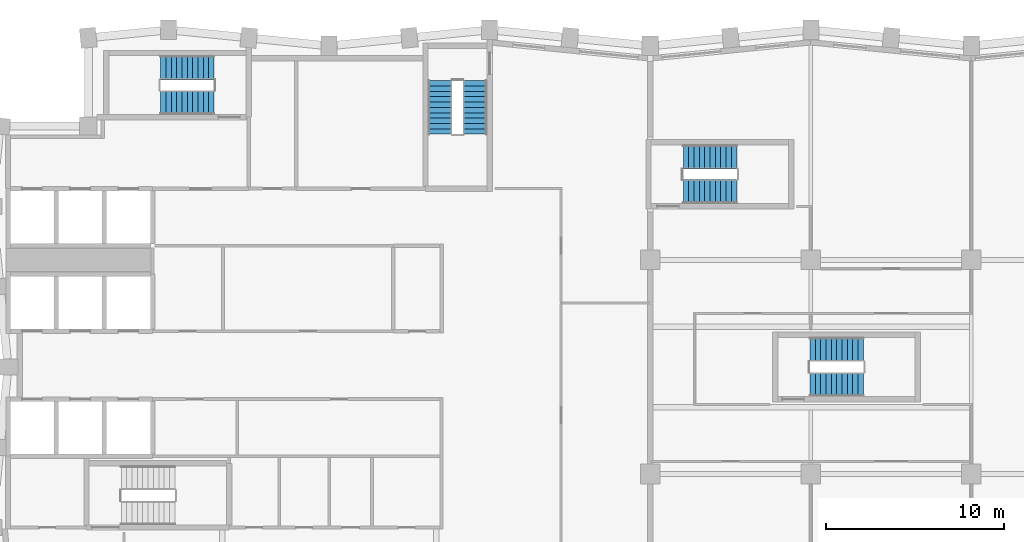
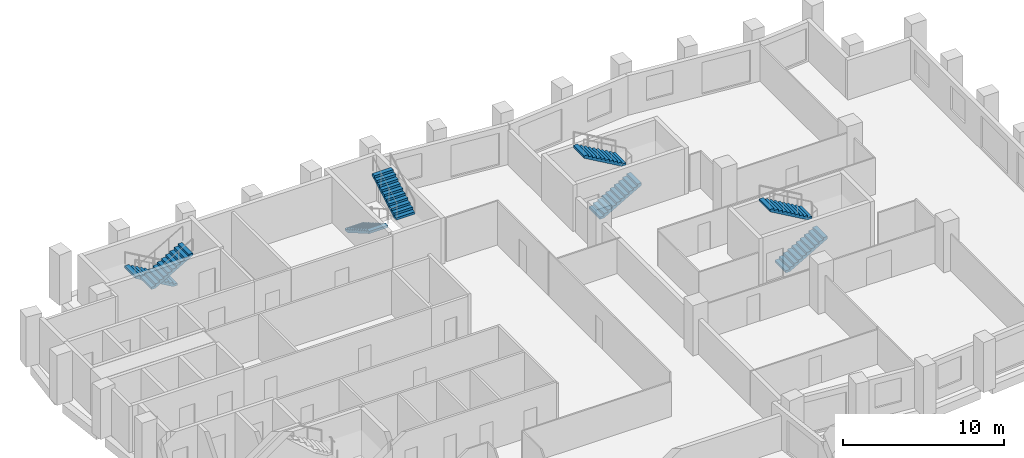
# One storey, part 8 of 10: 8 stair flights, 4 elements without a shape of their own.
"""IFC4 building model written with IfcOpenShell, lengths in metres."""

import ifcopenshell
import ifcopenshell.guid

model = None  # the IFC model being written
_history = None  # IfcOwnerHistory: only IFC2X3 demands one
_inside = {}  # id of a spatial element -> (the spatial element, [elements in it])
_under = {}  # id of a project, library or spatial element -> (it, [spatial elements below it])
_declared = {}  # id of a project -> (the project, [libraries it declares])
_typed = {}  # id of a type object -> (the type object, [elements of that type])
_made_of = {}  # id of a material, layer set ... -> (it, [elements and type objects made of it])


def new_model(schema):
    """Start an empty IFC model of exactly this schema.

    Asked for "IFC4X3", IfcOpenShell would pick the latest addendum, in which some entities
    have other attributes; the version numbers below select the first issue.
    IFC2X3 requires an IfcOwnerHistory on every rooted entity: one is made here for all.
    """
    global model, _history
    if schema == "IFC4X3":
        model = ifcopenshell.file(schema_version=(4, 3, 0, 0))
    else:
        model = ifcopenshell.file(schema=schema)
    _inside.clear()
    _under.clear()
    _declared.clear()
    _typed.clear()
    _made_of.clear()
    _history = None
    if model.schema == "IFC2X3":
        org = make("IfcOrganization", Name="unknown")
        user = make(
            "IfcPersonAndOrganization",
            ThePerson=make("IfcPerson", FamilyName="unknown"),
            TheOrganization=org,
        )
        app = make(
            "IfcApplication",
            ApplicationDeveloper=org,
            Version="unknown",
            ApplicationFullName="unknown",
            ApplicationIdentifier="unknown",
        )
        _history = make(
            "IfcOwnerHistory",
            OwningUser=user,
            OwningApplication=app,
            ChangeAction="ADDED",
            CreationDate=0,
        )
    return model


def make(cls, **values):
    """One entity of the class cls with the attributes given. An attribute that is None is left unset."""
    return model.create_entity(
        cls, **{name: value for name, value in values.items() if value is not None}
    )


def rooted(cls, **values):
    """An entity with a GlobalId (a new one), such as an element, a storey or a relation."""
    return make(cls, GlobalId=ifcopenshell.guid.new(), OwnerHistory=_history, **values)


def si_unit(unit_type, name, prefix=None):
    """IfcSIUnit, for example si_unit("LENGTHUNIT", "METRE", prefix="MILLI")."""
    return make("IfcSIUnit", UnitType=unit_type, Prefix=prefix, Name=name)


def assignment(units):
    """IfcUnitAssignment: the units of a project."""
    return None if units is None else make("IfcUnitAssignment", Units=units)


def point(xyz):
    """IfcCartesianPoint."""
    return None if xyz is None else make("IfcCartesianPoint", Coordinates=xyz)


def direction(xyz):
    """IfcDirection."""
    return None if xyz is None else make("IfcDirection", DirectionRatios=xyz)


def frame(location, z_axis=None, x_axis=None):
    """IfcAxis2Placement3D, a coordinate frame: its origin and axes. An axis left out is left unset."""
    return make(
        "IfcAxis2Placement3D",
        Location=point(location),
        Axis=direction(z_axis),
        RefDirection=direction(x_axis),
    )


def origin():
    """The frame at (0, 0, 0) with its axes left unset."""
    return frame((0.0, 0.0, 0.0))


def place(relative_to, where):
    """IfcLocalPlacement: puts the frame where relative to a parent placement (None: the world)."""
    return make(
        "IfcLocalPlacement", PlacementRelTo=relative_to, RelativePlacement=where
    )


def context(
    kind, dimensions, precision=None, world=None, true_north=None, identifier=None
):
    """IfcGeometricRepresentationContext, for example the 3D "Model" context."""
    return make(
        "IfcGeometricRepresentationContext",
        ContextIdentifier=identifier,
        ContextType=kind,
        CoordinateSpaceDimension=dimensions,
        Precision=precision,
        WorldCoordinateSystem=world,
        TrueNorth=true_north,
    )


def subcontext(parent, identifier, kind, view, scale=None):
    """IfcGeometricRepresentationSubContext, for example "Body" below "Model"."""
    return make(
        "IfcGeometricRepresentationSubContext",
        ContextIdentifier=identifier,
        ContextType=kind,
        ParentContext=parent,
        TargetScale=scale,
        TargetView=view,
    )


def project(units=None, contexts=None):
    """IfcProject with its units and contexts."""
    return rooted(
        "IfcProject",
        Name="project",
        RepresentationContexts=contexts,
        UnitsInContext=assignment(units),
    )


def spatial(cls, under=None, at=None, **own):
    """A site, building, storey or space (cls), placed at a placement, below another one or the project."""
    s = rooted(cls, ObjectPlacement=at, **own)
    if under is not None:
        _under.setdefault(under.id(), (under, []))[1].append(s)
    return s


def polyline(points):
    """IfcPolyline through the points."""
    return make("IfcPolyline", Points=[point(p) for p in points])


def outline(outer, holes=None, kind="AREA"):
    """IfcArbitraryClosedProfileDef: a profile drawn as a closed curve; with holes, ...WithVoids."""
    if holes is None:
        return make("IfcArbitraryClosedProfileDef", ProfileType=kind, OuterCurve=outer)
    return make(
        "IfcArbitraryProfileDefWithVoids",
        ProfileType=kind,
        OuterCurve=outer,
        InnerCurves=holes,
    )


def extrude(swept, where, along, depth):
    """IfcExtrudedAreaSolid: the profile swept, set in the frame where, extruded along a direction by depth."""
    return make(
        "IfcExtrudedAreaSolid",
        SweptArea=swept,
        Position=where,
        ExtrudedDirection=direction(along),
        Depth=depth,
    )


def shape(context_of_items, identifier, shape_type, items):
    """IfcShapeRepresentation: the items that make up one representation, for example the "Body"."""
    return make(
        "IfcShapeRepresentation",
        ContextOfItems=context_of_items,
        RepresentationIdentifier=identifier,
        RepresentationType=shape_type,
        Items=items,
    )


def material(Name=None, Category=None):
    """IfcMaterial."""
    return make("IfcMaterial", Name=Name, Category=Category)


def made_of(thing, what):
    """Note that an element or type object is made of a material, layer set ...; save() writes the relation."""
    if what is not None:
        _made_of.setdefault(what.id(), (what, []))[1].append(thing)
    return thing


def type_object(cls, material=None, **own):
    """A type object (cls), such as IfcWallType, which elements share."""
    return made_of(rooted(cls, **own), material)


def element(
    cls,
    number,
    at=None,
    inside=None,
    cuts=None,
    type_object=None,
    material=None,
    context=None,
    identifier="Body",
    shape_type=None,
    held_by="IfcProductDefinitionShape",
    body=None,
    shapes=None,
    **own,
):
    """One element of the class cls, such as IfcWall. Its Tag is "e" and its number.

    at: its placement. inside: the storey or other place that contains it. cuts: it is an
    opening in that element (IfcRelVoidsElement). A single representation is given by context,
    identifier, shape_type and body (its items); several are given by shapes. held_by: the class
    of the entity that holds the representations. save() writes the other relations.
    """
    e = rooted(cls, Tag="e%d" % number, ObjectPlacement=at, **own)
    if body is not None:
        shapes = [shape(context, identifier, shape_type, body)]
    if shapes is not None:
        e.Representation = make(held_by, Representations=shapes)
    if inside is not None:
        _inside.setdefault(inside.id(), (inside, []))[1].append(e)
    if cuts is not None:
        rooted(
            "IfcRelVoidsElement", RelatingBuildingElement=cuts, RelatedOpeningElement=e
        )
    if type_object is not None:
        _typed.setdefault(type_object.id(), (type_object, []))[1].append(e)
    return made_of(e, material)


def aggregate(whole, parts):
    """IfcRelAggregates: a whole, such as a stair, and the parts it consists of."""
    return rooted("IfcRelAggregates", RelatingObject=whole, RelatedObjects=parts)


def save(model, path):
    """Write the relations noted so far, then the file.

    IfcRelAggregates (storeys below a building ...), IfcRelContainedInSpatialStructure (elements
    in a storey), IfcRelDefinesByType, IfcRelAssociatesMaterial and IfcRelDeclares: one each for
    every whole, place, type object, material and project.
    """
    for whole, parts in _under.values():
        aggregate(whole, parts)
    for where, things in _inside.values():
        rooted(
            "IfcRelContainedInSpatialStructure",
            RelatedElements=things,
            RelatingStructure=where,
        )
    for kind, things in _typed.values():
        rooted("IfcRelDefinesByType", RelatedObjects=things, RelatingType=kind)
    for what, things in _made_of.values():
        rooted("IfcRelAssociatesMaterial", RelatedObjects=things, RelatingMaterial=what)
    for by, libraries in _declared.values():
        rooted("IfcRelDeclares", RelatingContext=by, RelatedDefinitions=libraries)
    model.write(path)


model = new_model("IFC4")

# Units and contexts
model_context = context("Model", 3, precision=1e-05, world=origin(), true_north=direction((0.0, 1.0)))
body_context = subcontext(model_context, "Body", "Model", "MODEL_VIEW")
ifc_project = project(units=[si_unit("LENGTHUNIT", "METRE"), si_unit("AREAUNIT", "SQUARE_METRE"), si_unit("VOLUMEUNIT", "CUBIC_METRE"), si_unit("PLANEANGLEUNIT", "RADIAN"), si_unit("MASSUNIT", "GRAM", prefix="KILO")], contexts=[model_context])

# Site, building, storey
site_placement = place(None, origin())
site = spatial("IfcSite", under=ifc_project, at=site_placement, CompositionType="ELEMENT")
building_placement = place(site_placement, origin())
building = spatial("IfcBuilding", under=site, at=building_placement, Name="Brondeck Convention Tower", CompositionType="ELEMENT")
storey_placement = place(building_placement, frame((0.0, 0.0, 189.0)))
storey = spatial("IfcBuildingStorey", under=building, at=storey_placement, Name="L46", CompositionType="ELEMENT", Elevation=189.0)

# Stair, stair flights
ifc_material = material(Name="Precast concrete C50/60", Category="concrete")
stair_type = type_object("IfcStairType", Name="Core stair 22 risers 172.73 mm riser 300 mm going 1350 wide", PredefinedType="HALF_TURN_STAIR", material=ifc_material)
stair_1_placement = place(storey_placement, origin())
stair_1 = element("IfcStair", 1, at=stair_1_placement, inside=storey, type_object=stair_type, Name="ST-2 L46 stair", PredefinedType="HALF_TURN_STAIR")
stair_flight_type = type_object("IfcStairFlightType", Name="Core stair flight 22 risers 172.73 mm riser 300 mm going 1350 wide", PredefinedType="STRAIGHT", material=ifc_material)
stair_flight_1_placement = place(storey_placement, frame((24.22509765625, 61.050048828125, 0.0), z_axis=(0.0, 0.0, 1.0), x_axis=(0.0, -1.0, 0.0)))
stair_flight_1 = element("IfcStairFlight", 2, at=stair_flight_1_placement, type_object=stair_flight_type, Name="ST-2 flight 1", NumberOfRisers=11, NumberOfTreads=10, PredefinedType="STRAIGHT", RiserHeight=0.172727273, TreadLength=0.3, context=body_context, shape_type="SweptSolid", body=[
    extrude(outline(polyline([(0.0, 0.0), (0.0, 0.172607421875), (0.300048828125, 0.172607421875), (0.300048828125, 0.345458984375), (0.60009765625, 0.345458984375), (0.60009765625, 0.51806640625), (0.89990234375, 0.51806640625), (0.89990234375, 0.69091796875), (1.199951171875, 0.69091796875), (1.199951171875, 0.863525390625), (1.5, 0.863525390625), (1.5, 1.036376953125), (1.800048828125, 1.036376953125), (1.800048828125, 1.208984375), (2.10009765625, 1.208984375), (2.10009765625, 1.3818359375), (2.39990234375, 1.3818359375), (2.39990234375, 1.554443359375), (2.699951171875, 1.554443359375), (2.699951171875, 1.727294921875), (3.0, 1.727294921875), (3.0, 1.89990234375), (3.0, 1.55419921875), (0.300537109375, 0.0), (0.0, 0.0)])), frame((0.0, 0.675048828125, 0.0), z_axis=(0.0, -1.0, 0.0), x_axis=(1.0, 0.0, 0.0)), (0.0, 0.0, 1.0), 1.35009765625),
])
stair_flight_2_placement = place(storey_placement, frame((26.175048828125, 58.050048828125, 1.89990234375), z_axis=(0.0, 0.0, 1.0), x_axis=(0.0, 1.0, 0.0)))
stair_flight_2 = element("IfcStairFlight", 3, at=stair_flight_2_placement, type_object=stair_flight_type, Name="ST-2 flight 2", NumberOfRisers=11, NumberOfTreads=10, PredefinedType="STRAIGHT", RiserHeight=0.172727273, TreadLength=0.3, context=body_context, shape_type="SweptSolid", body=[
    extrude(outline(polyline([(0.0, 0.0), (0.0, 0.172607421875), (0.300048828125, 0.172607421875), (0.300048828125, 0.345458984375), (0.60009765625, 0.345458984375), (0.60009765625, 0.51806640625), (0.89990234375, 0.51806640625), (0.89990234375, 0.69091796875), (1.199951171875, 0.69091796875), (1.199951171875, 0.863525390625), (1.5, 0.863525390625), (1.5, 1.036376953125), (1.800048828125, 1.036376953125), (1.800048828125, 1.208984375), (2.10009765625, 1.208984375), (2.10009765625, 1.3818359375), (2.39990234375, 1.3818359375), (2.39990234375, 1.554443359375), (2.699951171875, 1.554443359375), (2.699951171875, 1.727294921875), (3.0, 1.727294921875), (3.0, 1.89990234375), (3.0, 1.55419921875), (0.300537109375, 0.0), (0.0, 0.0)])), frame((0.0, 0.675048828125, 0.0), z_axis=(0.0, -1.0, 0.0), x_axis=(1.0, 0.0, 0.0)), (0.0, 0.0, 1.0), 1.35009765625),
])
aggregate(stair_1, [stair_flight_1, stair_flight_2])

stair_2_placement = place(storey_placement, origin())
stair_2 = element("IfcStair", 4, at=stair_2_placement, inside=storey, type_object=stair_type, Name="ST-3 L46 stair", PredefinedType="HALF_TURN_STAIR")
stair_flight_3_placement = place(storey_placement, frame((11.550048828125, 61.77490234375, 0.0), z_axis=(0.0, 0.0, 1.0), x_axis=(-1.0, 0.0, 0.0)))
stair_flight_3 = element("IfcStairFlight", 5, at=stair_flight_3_placement, type_object=stair_flight_type, Name="ST-3 flight 1", NumberOfRisers=11, NumberOfTreads=10, PredefinedType="STRAIGHT", RiserHeight=0.172727273, TreadLength=0.3, context=body_context, shape_type="SweptSolid", body=[
    extrude(outline(polyline([(0.0, 0.0), (0.0, 0.172607421875), (0.300048828125, 0.172607421875), (0.300048828125, 0.345458984375), (0.60009765625, 0.345458984375), (0.60009765625, 0.51806640625), (0.89990234375, 0.51806640625), (0.89990234375, 0.69091796875), (1.199951171875, 0.69091796875), (1.199951171875, 0.863525390625), (1.5, 0.863525390625), (1.5, 1.036376953125), (1.800048828125, 1.036376953125), (1.800048828125, 1.208984375), (2.10009765625, 1.208984375), (2.10009765625, 1.3818359375), (2.39990234375, 1.3818359375), (2.39990234375, 1.554443359375), (2.699951171875, 1.554443359375), (2.699951171875, 1.727294921875), (3.0, 1.727294921875), (3.0, 1.89990234375), (3.0, 1.55419921875), (0.300537109375, 0.0), (0.0, 0.0)])), frame((0.0, 0.675048828125, 0.0), z_axis=(0.0, -1.0, 0.0), x_axis=(1.0, 0.0, 0.0)), (0.0, 0.0, 1.0), 1.35009765625),
])
stair_flight_4_placement = place(storey_placement, frame((8.550048828125, 59.824951171875, 1.89990234375), z_axis=(0.0, 0.0, 1.0), x_axis=(1.0, 0.0, 0.0)))
stair_flight_4 = element("IfcStairFlight", 6, at=stair_flight_4_placement, type_object=stair_flight_type, Name="ST-3 flight 2", NumberOfRisers=11, NumberOfTreads=10, PredefinedType="STRAIGHT", RiserHeight=0.172727273, TreadLength=0.3, context=body_context, shape_type="SweptSolid", body=[
    extrude(outline(polyline([(0.0, 0.0), (0.0, 0.172607421875), (0.300048828125, 0.172607421875), (0.300048828125, 0.345458984375), (0.60009765625, 0.345458984375), (0.60009765625, 0.51806640625), (0.89990234375, 0.51806640625), (0.89990234375, 0.69091796875), (1.199951171875, 0.69091796875), (1.199951171875, 0.863525390625), (1.5, 0.863525390625), (1.5, 1.036376953125), (1.800048828125, 1.036376953125), (1.800048828125, 1.208984375), (2.10009765625, 1.208984375), (2.10009765625, 1.3818359375), (2.39990234375, 1.3818359375), (2.39990234375, 1.554443359375), (2.699951171875, 1.554443359375), (2.699951171875, 1.727294921875), (3.0, 1.727294921875), (3.0, 1.89990234375), (3.0, 1.55419921875), (0.300537109375, 0.0), (0.0, 0.0)])), frame((0.0, 0.675048828125, 0.0), z_axis=(0.0, -1.0, 0.0), x_axis=(1.0, 0.0, 0.0)), (0.0, 0.0, 1.0), 1.35009765625),
])
aggregate(stair_2, [stair_flight_3, stair_flight_4])

stair_3_placement = place(storey_placement, origin())
stair_3 = element("IfcStair", 7, at=stair_3_placement, inside=storey, type_object=stair_type, Name="ST-AE L46 stair", PredefinedType="HALF_TURN_STAIR")
stair_flight_5_placement = place(storey_placement, frame((37.85009765625, 54.824951171875, 0.0), z_axis=(0.0, 0.0, 1.0), x_axis=(1.0, 0.0, 0.0)))
stair_flight_5 = element("IfcStairFlight", 8, at=stair_flight_5_placement, type_object=stair_flight_type, Name="ST-AE flight 1", NumberOfRisers=11, NumberOfTreads=10, PredefinedType="STRAIGHT", RiserHeight=0.172727273, TreadLength=0.3, context=body_context, shape_type="SweptSolid", body=[
    extrude(outline(polyline([(0.0, 0.0), (0.0, 0.172607421875), (0.300048828125, 0.172607421875), (0.300048828125, 0.345458984375), (0.60009765625, 0.345458984375), (0.60009765625, 0.51806640625), (0.89990234375, 0.51806640625), (0.89990234375, 0.69091796875), (1.199951171875, 0.69091796875), (1.199951171875, 0.863525390625), (1.5, 0.863525390625), (1.5, 1.036376953125), (1.800048828125, 1.036376953125), (1.800048828125, 1.208984375), (2.10009765625, 1.208984375), (2.10009765625, 1.3818359375), (2.39990234375, 1.3818359375), (2.39990234375, 1.554443359375), (2.699951171875, 1.554443359375), (2.699951171875, 1.727294921875), (3.0, 1.727294921875), (3.0, 1.89990234375), (3.0, 1.55419921875), (0.300537109375, 0.0), (0.0, 0.0)])), frame((0.0, 0.675048828125, 0.0), z_axis=(0.0, -1.0, 0.0), x_axis=(1.0, 0.0, 0.0)), (0.0, 0.0, 1.0), 1.35009765625),
])
stair_flight_6_placement = place(storey_placement, frame((40.85009765625, 56.77490234375, 1.89990234375), z_axis=(0.0, 0.0, 1.0), x_axis=(-1.0, 0.0, 0.0)))
stair_flight_6 = element("IfcStairFlight", 9, at=stair_flight_6_placement, type_object=stair_flight_type, Name="ST-AE flight 2", NumberOfRisers=11, NumberOfTreads=10, PredefinedType="STRAIGHT", RiserHeight=0.172727273, TreadLength=0.3, context=body_context, shape_type="SweptSolid", body=[
    extrude(outline(polyline([(0.0, 0.0), (0.0, 0.172607421875), (0.300048828125, 0.172607421875), (0.300048828125, 0.345458984375), (0.60009765625, 0.345458984375), (0.60009765625, 0.51806640625), (0.89990234375, 0.51806640625), (0.89990234375, 0.69091796875), (1.199951171875, 0.69091796875), (1.199951171875, 0.863525390625), (1.5, 0.863525390625), (1.5, 1.036376953125), (1.800048828125, 1.036376953125), (1.800048828125, 1.208984375), (2.10009765625, 1.208984375), (2.10009765625, 1.3818359375), (2.39990234375, 1.3818359375), (2.39990234375, 1.554443359375), (2.699951171875, 1.554443359375), (2.699951171875, 1.727294921875), (3.0, 1.727294921875), (3.0, 1.89990234375), (3.0, 1.55419921875), (0.300537109375, 0.0), (0.0, 0.0)])), frame((0.0, 0.675048828125, 0.0), z_axis=(0.0, -1.0, 0.0), x_axis=(1.0, 0.0, 0.0)), (0.0, 0.0, 1.0), 1.35009765625),
])
aggregate(stair_3, [stair_flight_5, stair_flight_6])

stair_4_placement = place(storey_placement, origin())
stair_4 = element("IfcStair", 10, at=stair_4_placement, inside=storey, type_object=stair_type, Name="ST-AF L46 stair", PredefinedType="HALF_TURN_STAIR")
stair_flight_7_placement = place(storey_placement, frame((44.949951171875, 44.02490234375, 0.0), z_axis=(0.0, 0.0, 1.0), x_axis=(1.0, 0.0, 0.0)))
stair_flight_7 = element("IfcStairFlight", 11, at=stair_flight_7_placement, type_object=stair_flight_type, Name="ST-AF flight 1", NumberOfRisers=11, NumberOfTreads=10, PredefinedType="STRAIGHT", RiserHeight=0.172727273, TreadLength=0.3, context=body_context, shape_type="SweptSolid", body=[
    extrude(outline(polyline([(0.0, 0.0), (0.0, 0.172607421875), (0.300048828125, 0.172607421875), (0.300048828125, 0.345458984375), (0.60009765625, 0.345458984375), (0.60009765625, 0.51806640625), (0.89990234375, 0.51806640625), (0.89990234375, 0.69091796875), (1.199951171875, 0.69091796875), (1.199951171875, 0.863525390625), (1.5, 0.863525390625), (1.5, 1.036376953125), (1.800048828125, 1.036376953125), (1.800048828125, 1.208984375), (2.10009765625, 1.208984375), (2.10009765625, 1.3818359375), (2.39990234375, 1.3818359375), (2.39990234375, 1.554443359375), (2.699951171875, 1.554443359375), (2.699951171875, 1.727294921875), (3.0, 1.727294921875), (3.0, 1.89990234375), (3.0, 1.55419921875), (0.300537109375, 0.0), (0.0, 0.0)])), frame((0.0, 0.675048828125, 0.0), z_axis=(0.0, -1.0, 0.0), x_axis=(1.0, 0.0, 0.0)), (0.0, 0.0, 1.0), 1.35009765625),
])
stair_flight_8_placement = place(storey_placement, frame((47.949951171875, 45.97509765625, 1.89990234375), z_axis=(0.0, 0.0, 1.0), x_axis=(-1.0, 0.0, 0.0)))
stair_flight_8 = element("IfcStairFlight", 12, at=stair_flight_8_placement, type_object=stair_flight_type, Name="ST-AF flight 2", NumberOfRisers=11, NumberOfTreads=10, PredefinedType="STRAIGHT", RiserHeight=0.172727273, TreadLength=0.3, context=body_context, shape_type="SweptSolid", body=[
    extrude(outline(polyline([(0.0, 0.0), (0.0, 0.172607421875), (0.300048828125, 0.172607421875), (0.300048828125, 0.345458984375), (0.60009765625, 0.345458984375), (0.60009765625, 0.51806640625), (0.89990234375, 0.51806640625), (0.89990234375, 0.69091796875), (1.199951171875, 0.69091796875), (1.199951171875, 0.863525390625), (1.5, 0.863525390625), (1.5, 1.036376953125), (1.800048828125, 1.036376953125), (1.800048828125, 1.208984375), (2.10009765625, 1.208984375), (2.10009765625, 1.3818359375), (2.39990234375, 1.3818359375), (2.39990234375, 1.554443359375), (2.699951171875, 1.554443359375), (2.699951171875, 1.727294921875), (3.0, 1.727294921875), (3.0, 1.89990234375), (3.0, 1.55419921875), (0.300537109375, 0.0), (0.0, 0.0)])), frame((0.0, 0.675048828125, 0.0), z_axis=(0.0, -1.0, 0.0), x_axis=(1.0, 0.0, 0.0)), (0.0, 0.0, 1.0), 1.35009765625),
])
aggregate(stair_4, [stair_flight_7, stair_flight_8])

save(model, "model.ifc")
